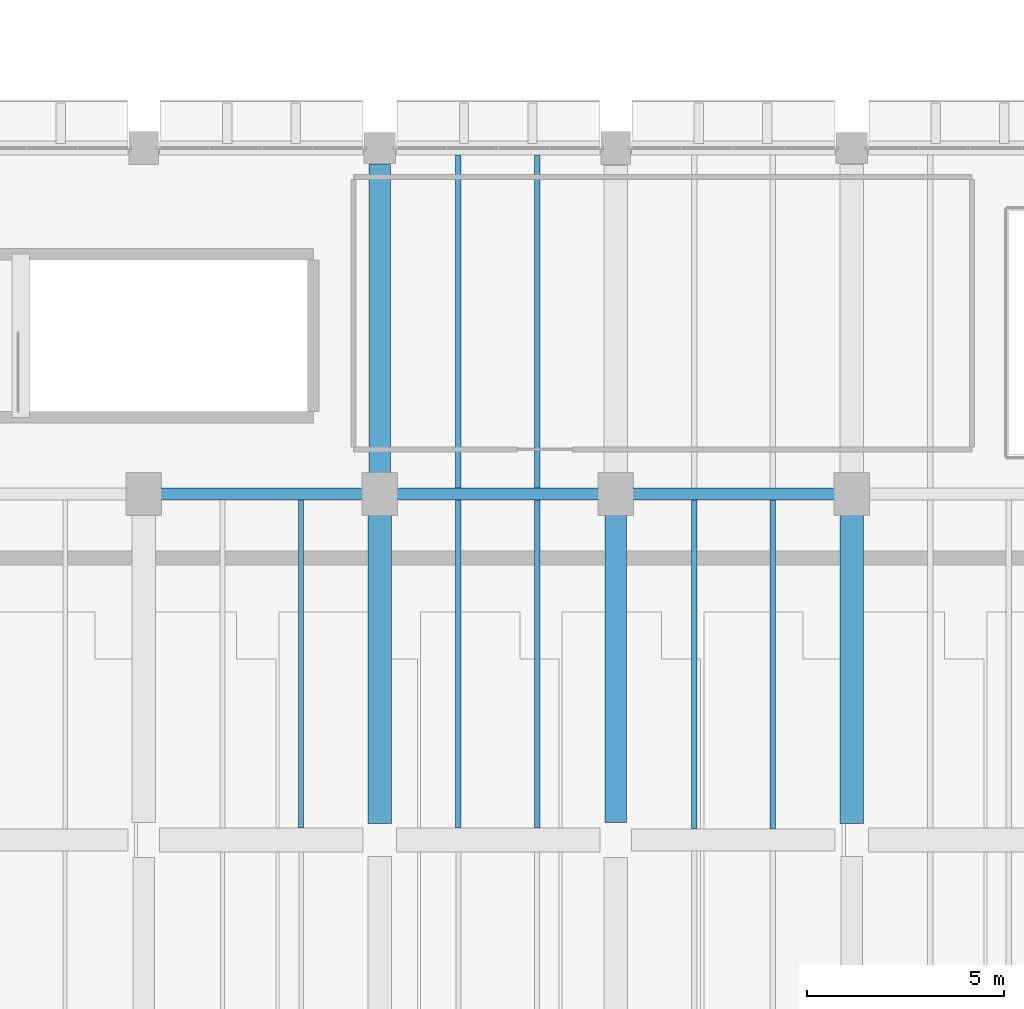
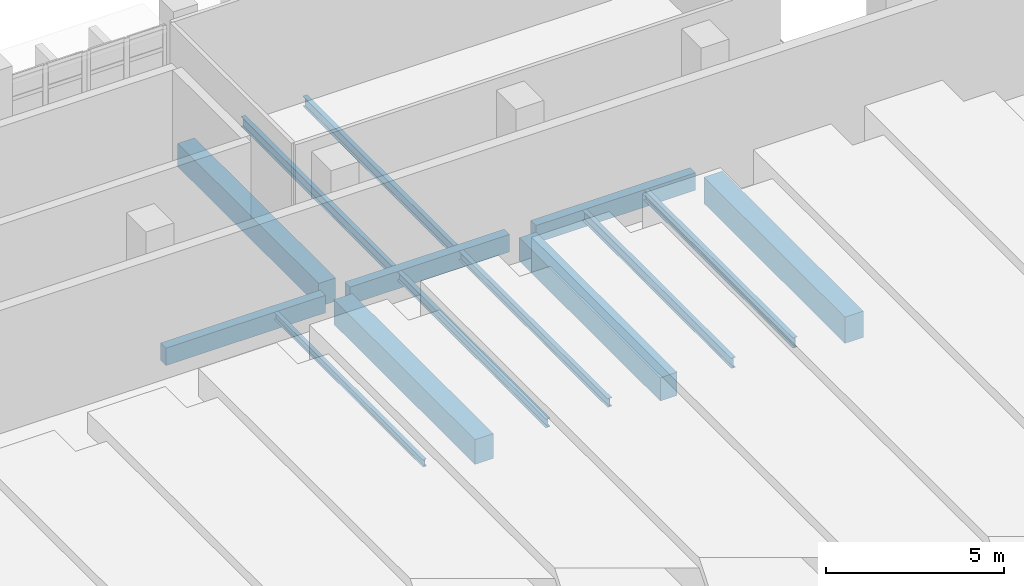
# One storey, part 34 of 76: 14 beams.
"""IFC4 building model written with IfcOpenShell, lengths in metres."""

from ifc_helpers import new_model, si_unit, direction, frame, origin, origin_2d, place, context, subcontext, project, spatial, rectangle, i_section, extrude, material, material_profile, profile_set, type_object, element, save


model = new_model("IFC4")

# Units and contexts
model_context = context("Model", 3, precision=1e-05, world=origin(), true_north=direction((0.0, 1.0)))
body_context = subcontext(model_context, "Body", "Model", "MODEL_VIEW")
ifc_project = project(units=[si_unit("LENGTHUNIT", "METRE"), si_unit("AREAUNIT", "SQUARE_METRE"), si_unit("VOLUMEUNIT", "CUBIC_METRE"), si_unit("PLANEANGLEUNIT", "RADIAN"), si_unit("MASSUNIT", "GRAM", prefix="KILO")], contexts=[model_context])

# Site, building, storey
site_placement = place(None, origin())
site = spatial("IfcSite", under=ifc_project, at=site_placement, CompositionType="ELEMENT")
building_placement = place(site_placement, origin())
building = spatial("IfcBuilding", under=site, at=building_placement, Name="Varnakota Cinema and Media Centre", CompositionType="ELEMENT")
storey_placement = place(building_placement, origin())
storey = spatial("IfcBuildingStorey", under=building, at=storey_placement, Name="L00", CompositionType="ELEMENT", Elevation=0.0)

# Beams
ifc_material_1 = material(Name="Concrete M35", Category="concrete")
ifc_material_profile_1 = material_profile(ifc_material_1, rectangle(XDim=0.550048828125, YDim=0.800048828125, at=origin_2d()), Name="RCB 550x800")
ifc_profile_set_1 = profile_set([ifc_material_profile_1], Name="Concrete M35")
beam_type_1 = type_object("IfcBeamType", Name="BM-RC-550x800", PredefinedType="BEAM", material=ifc_profile_set_1)
beam_1_placement = place(storey_placement, frame((99.0, 35.64990234375, -0.679931640625), z_axis=(0.0, 1.0, 0.0), x_axis=(-1.0, 0.0, 0.0)))
element("IfcBeam", 1, at=beam_1_placement, inside=storey, type_object=beam_type_1, Name="L00 girder P/5-6", PredefinedType="BEAM", context=body_context, shape_type="SweptSolid", body=[
    extrude(rectangle(XDim=0.550048828125, YDim=0.800048828125, at=origin_2d()), origin(), (0.0, 0.0, 1.0), 7.925048828125),
])
beam_2_placement = place(storey_placement, frame((105.0, 26.85009765625, -0.679931640625), z_axis=(0.0, 1.0, 0.0), x_axis=(-1.0, 0.0, 0.0)))
element("IfcBeam", 2, at=beam_2_placement, inside=storey, type_object=beam_type_1, Name="L00 girder Q/4-5", PredefinedType="BEAM", context=body_context, shape_type="SweptSolid", body=[
    extrude(rectangle(XDim=0.550048828125, YDim=0.800048828125, at=origin_2d()), origin(), (0.0, 0.0, 1.0), 7.9248046875),
])
ifc_material_2 = material(Name="Concrete M35", Category="concrete")
ifc_material_profile_2 = material_profile(ifc_material_2, rectangle(XDim=0.60009765625, YDim=0.85009765625, at=origin_2d()), Name="RCB 600x850")
ifc_profile_set_2 = profile_set([ifc_material_profile_2], Name="Concrete M35")
beam_type_2 = type_object("IfcBeamType", Name="BM-RC-600x850", PredefinedType="BEAM", material=ifc_profile_set_2)
beam_3_placement = place(storey_placement, frame((99.0, 26.824951171875, -0.705078125), z_axis=(0.0, 1.0, 0.0), x_axis=(-1.0, 0.0, 0.0)))
element("IfcBeam", 3, at=beam_3_placement, inside=storey, type_object=beam_type_2, Name="L00 girder P/4-5", PredefinedType="BEAM", context=body_context, shape_type="SweptSolid", body=[
    extrude(rectangle(XDim=0.60009765625, YDim=0.85009765625, at=origin_2d()), origin(), (0.0, 0.0, 1.0), 7.925048828125),
])
ifc_material_3 = material(Name="Concrete M40", Category="concrete")
ifc_material_profile_3 = material_profile(ifc_material_3, rectangle(XDim=0.60009765625, YDim=0.89990234375, at=origin_2d()), Name="RCB 600x900")
ifc_profile_set_3 = profile_set([ifc_material_profile_3], Name="Concrete M40")
beam_type_3 = type_object("IfcBeamType", Name="BM-RC-600x900", PredefinedType="BEAM", material=ifc_profile_set_3)
beam_4_placement = place(storey_placement, frame((111.0, 26.824951171875, -0.72998046875), z_axis=(0.0, 1.0, 0.0), x_axis=(-1.0, 0.0, 0.0)))
element("IfcBeam", 4, at=beam_4_placement, inside=storey, type_object=beam_type_3, Name="L00 girder R/4-5", PredefinedType="BEAM", context=body_context, shape_type="SweptSolid", body=[
    extrude(rectangle(XDim=0.60009765625, YDim=0.89990234375, at=origin_2d()), origin(), (0.0, 0.0, 1.0), 7.925048828125),
])
ifc_material_4 = material(Name="Concrete M35", Category="concrete")
ifc_material_profile_4 = material_profile(ifc_material_4, rectangle(XDim=0.300048828125, YDim=0.60009765625, at=origin_2d()), Name="RCB 300x600")
ifc_profile_set_4 = profile_set([ifc_material_profile_4], Name="Concrete M35")
beam_type_4 = type_object("IfcBeamType", Name="BM-SP-300x600", PredefinedType="SPANDREL", material=ifc_profile_set_4)
for number, where, z_axis, x_axis, name in (
    (5, (93.425048828125, 35.199951171875, -0.580078125), (1.0, 0.0, 0.0), (0.0, 1.0, 0.0), "L00 girder N-P/5"),
    (6, (99.39990234375, 35.199951171875, -0.580078125), (1.0, 0.0, 0.0), (0.0, 1.0, 0.0), "L00 girder P-Q/5"),
    (7, (105.425048828125, 35.199951171875, -0.580078125), (1.0, 0.0, 0.0), (0.0, 1.0, 0.0), "L00 girder Q-R/5"),
):
    element("IfcBeam", number, at=place(storey_placement, frame(where, z_axis=z_axis, x_axis=x_axis)), inside=storey, type_object=beam_type_4, Name=name, PredefinedType="SPANDREL", context=body_context, shape_type="SweptSolid", body=[
        extrude(rectangle(XDim=0.300048828125, YDim=0.60009765625, at=origin_2d()), origin(), (0.0, 0.0, 1.0), 5.175048828125),
    ])
ifc_material_5 = material(Name="Structural steel Grade 350 (E350)", Category="steel")
ifc_material_profile_5 = material_profile(ifc_material_5, i_section(OverallWidth=0.125, OverallDepth=0.25, WebThickness=0.0068359375, FlangeThickness=0.012451171875, FilletRadius=0.012939453125, at=origin_2d()), Name="ISMB 250")
ifc_profile_set_5 = profile_set([ifc_material_profile_5], Name="Structural steel Grade 350 (E350)")
beam_type_5 = type_object("IfcBeamType", Name="BM-ST-ISMB250", PredefinedType="JOIST", material=ifc_profile_set_5)
beam_5_placement = place(storey_placement, frame((97.0, 26.699951171875, -0.405029296875), z_axis=(0.0, 1.0, 0.0), x_axis=(-1.0, 0.0, 0.0)))
element("IfcBeam", 8, at=beam_5_placement, inside=storey, type_object=beam_type_5, Name="L00 steel joist N-P/4-5 #2", PredefinedType="JOIST", context=body_context, shape_type="SweptSolid", body=[
    extrude(i_section(OverallWidth=0.125, OverallDepth=0.25, WebThickness=0.0068359375, FlangeThickness=0.012451171875, FilletRadius=0.012939453125, at=origin_2d()), origin(), (0.0, 0.0, 1.0), 8.35009765625),
])
ifc_material_6 = material(Name="Structural steel Grade 350 (E350)", Category="steel")
ifc_material_profile_6 = material_profile(ifc_material_6, i_section(OverallWidth=0.139892578125, OverallDepth=0.300048828125, WebThickness=0.0078125, FlangeThickness=0.01318359375, FilletRadius=0.013916015625, at=origin_2d()), Name="ISMB 300")
ifc_profile_set_6 = profile_set([ifc_material_profile_6], Name="Structural steel Grade 350 (E350)")
beam_type_6 = type_object("IfcBeamType", Name="BM-ST-ISMB300", PredefinedType="JOIST", material=ifc_profile_set_6)
for number, where, z_axis, x_axis, name in (
    (9, (101.0, 26.699951171875, -0.429931640625), (0.0, 1.0, 0.0), (-1.0, 0.0, 0.0), "L00 steel joist P-Q/4-5 #1"),
    (10, (103.0, 26.699951171875, -0.429931640625), (0.0, 1.0, 0.0), (-1.0, 0.0, 0.0), "L00 steel joist P-Q/4-5 #2"),
):
    element("IfcBeam", number, at=place(storey_placement, frame(where, z_axis=z_axis, x_axis=x_axis)), inside=storey, type_object=beam_type_6, Name=name, PredefinedType="JOIST", context=body_context, shape_type="SweptSolid", body=[
        extrude(i_section(OverallWidth=0.139892578125, OverallDepth=0.300048828125, WebThickness=0.0078125, FlangeThickness=0.01318359375, FilletRadius=0.013916015625, at=origin_2d()), origin(), (0.0, 0.0, 1.0), 8.35009765625),
    ])
ifc_material_7 = material(Name="Structural steel Grade 350 (E350)", Category="steel")
ifc_material_profile_7 = material_profile(ifc_material_7, i_section(OverallWidth=0.139892578125, OverallDepth=0.35009765625, WebThickness=0.008056640625, FlangeThickness=0.01416015625, FilletRadius=0.013916015625, at=origin_2d()), Name="ISMB 350")
ifc_profile_set_7 = profile_set([ifc_material_profile_7], Name="Structural steel Grade 350 (E350)")
beam_type_7 = type_object("IfcBeamType", Name="BM-ST-ISMB350", PredefinedType="JOIST", material=ifc_profile_set_7)
for number, where, z_axis, x_axis, name in (
    (11, (101.0, 35.35009765625, -0.455078125), (0.0, 1.0, 0.0), (-1.0, 0.0, 0.0), "L00 steel joist P-Q/5-6 #1"),
    (12, (103.0, 35.35009765625, -0.455078125), (0.0, 1.0, 0.0), (-1.0, 0.0, 0.0), "L00 steel joist P-Q/5-6 #2"),
):
    element("IfcBeam", number, at=place(storey_placement, frame(where, z_axis=z_axis, x_axis=x_axis)), inside=storey, type_object=beam_type_7, Name=name, PredefinedType="JOIST", context=body_context, shape_type="SweptSolid", body=[
        extrude(i_section(OverallWidth=0.139892578125, OverallDepth=0.35009765625, WebThickness=0.008056640625, FlangeThickness=0.01416015625, FilletRadius=0.013916015625, at=origin_2d()), origin(), (0.0, 0.0, 1.0), 8.474853515625),
    ])
for number, where, z_axis, x_axis, name in (
    (13, (107.0, 26.675048828125, -0.455078125), (0.0, 1.0, 0.0), (-1.0, 0.0, 0.0), "L00 steel joist Q-R/4-5 #1"),
    (14, (109.0, 26.675048828125, -0.455078125), (0.0, 1.0, 0.0), (-1.0, 0.0, 0.0), "L00 steel joist Q-R/4-5 #2"),
):
    element("IfcBeam", number, at=place(storey_placement, frame(where, z_axis=z_axis, x_axis=x_axis)), inside=storey, type_object=beam_type_7, Name=name, PredefinedType="JOIST", context=body_context, shape_type="SweptSolid", body=[
        extrude(i_section(OverallWidth=0.139892578125, OverallDepth=0.35009765625, WebThickness=0.008056640625, FlangeThickness=0.01416015625, FilletRadius=0.013916015625, at=origin_2d()), origin(), (0.0, 0.0, 1.0), 8.375),
    ])

save(model, "model.ifc")
